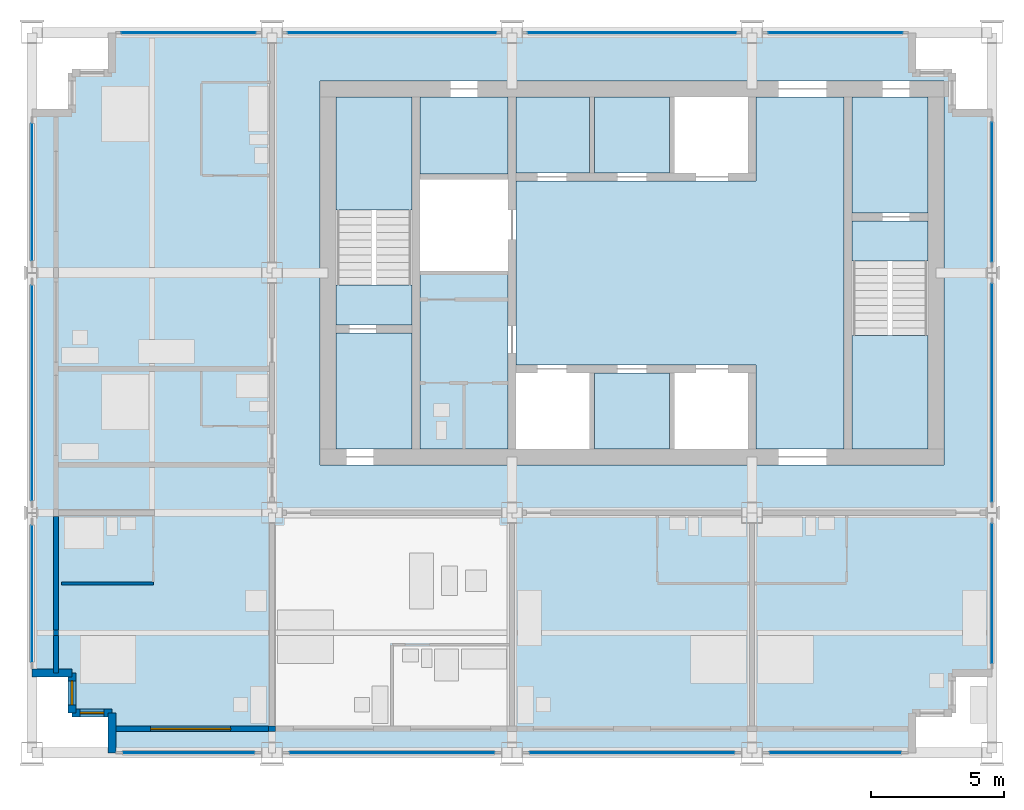
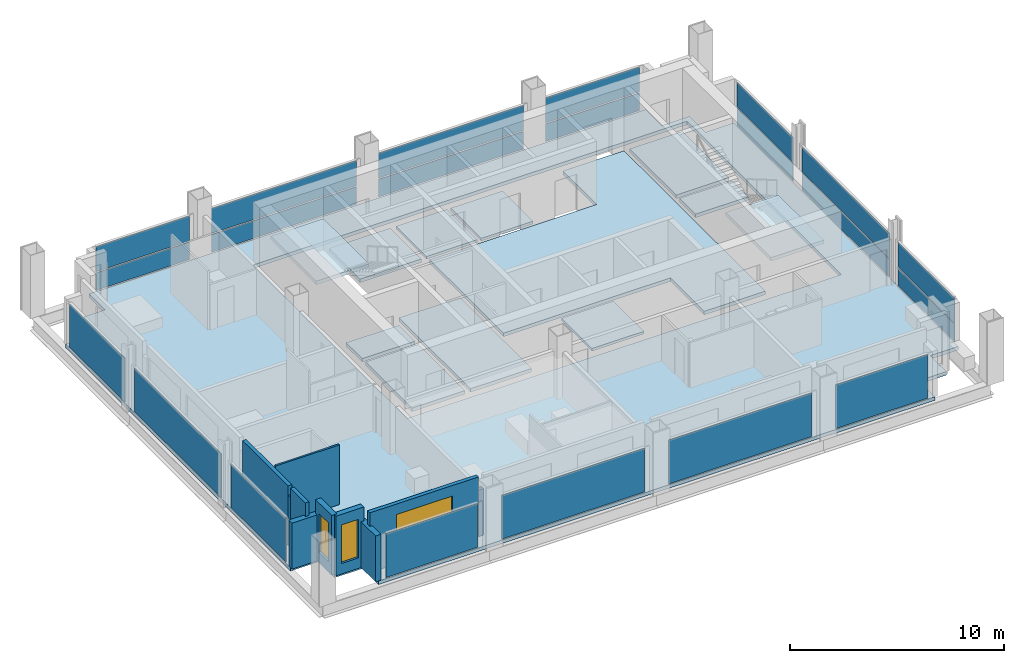
# One storey, part 5 of 11: 21 plates, 13 slabs, 10 walls, 3 windows, 3 openings, 16 elements without a shape of their own.
"""IFC4 building model written with IfcOpenShell, lengths in metres."""

from ifc_helpers import new_model, si_unit, direction, frame, frame_2d, origin, origin_2d, place, context, subcontext, project, spatial, polyline, rectangle, outline, extrude, material, layer, layer_set, type_object, element, fill, aggregate, save


model = new_model("IFC4")

# Units and contexts
model_context = context("Model", 3, precision=1e-05, world=origin(), true_north=direction((0.0, 1.0)))
body_context = subcontext(model_context, "Body", "Model", "MODEL_VIEW")
ifc_project = project(units=[si_unit("LENGTHUNIT", "METRE"), si_unit("AREAUNIT", "SQUARE_METRE"), si_unit("VOLUMEUNIT", "CUBIC_METRE"), si_unit("PLANEANGLEUNIT", "RADIAN"), si_unit("MASSUNIT", "GRAM", prefix="KILO")], contexts=[model_context])

# Site, building, storey
site_placement = place(None, origin())
site = spatial("IfcSite", under=ifc_project, at=site_placement, CompositionType="ELEMENT")
building_placement = place(site_placement, origin())
building = spatial("IfcBuilding", under=site, at=building_placement, Name="Loomwork Tower", CompositionType="ELEMENT")
storey_placement = place(building_placement, frame((0.0, 0.0, 248.199951171875)))
storey = spatial("IfcBuildingStorey", under=building, at=storey_placement, Name="L68", CompositionType="ELEMENT", Elevation=248.199951171875)

# Slabs
ifc_material_1 = material(Name="Concrete 5000 psi (34 MPa) on composite metal deck", Category="concrete")
ifc_layer_1 = layer(ifc_material_1, 0.199951171875)
ifc_layer_set_1 = layer_set([ifc_layer_1], Name="Floor slab 200")
slab_type_1 = type_object("IfcSlabType", Name="Floor slab 200", PredefinedType="FLOOR", material=ifc_layer_set_1)
slab_1_placement = place(storey_placement, frame((0.0, 0.0, -0.199951171875)))
element("IfcSlab", 1, at=slab_1_placement, inside=storey, type_object=slab_type_1, Name="Floor slab L68", PredefinedType="FLOOR", context=body_context, shape_type="SweptSolid", body=[
    extrude(outline(polyline([(3.0, 1.5), (1.5, 1.5), (1.5, 3.0), (0.0, 3.0), (0.0, 24.0), (1.5, 24.0), (1.5, 25.5), (3.0, 25.5), (3.0, 27.0), (33.0, 27.0), (33.0, 25.5), (34.5, 25.5), (34.5, 24.0), (36.0, 24.0), (36.0, 3.0), (34.5, 3.0), (34.5, 1.5), (33.0, 1.5), (33.0, 0.0), (3.0, 0.0), (3.0, 1.5)]), holes=[polyline([(10.800048828125, 11.39990234375), (10.800048828125, 11.39990234375), (10.800048828125, 10.800048828125), (34.199951171875, 10.800048828125), (34.199951171875, 11.39990234375), (34.199951171875, 11.39990234375), (34.199951171875, 24.60009765625), (34.199951171875, 25.199951171875), (10.800048828125, 25.199951171875), (10.800048828125, 24.60009765625), (10.800048828125, 11.39990234375)])]), origin(), (0.0, 0.0, 1.0), 0.199951171875),
])
slab_2_placement = place(storey_placement, frame((0.0, 0.0, -0.199951171875)))
element("IfcSlab", 2, at=slab_2_placement, inside=storey, type_object=slab_type_1, Name="Floor slab L68", PredefinedType="FLOOR", context=body_context, shape_type="SweptSolid", body=[
    extrude(outline(polyline([(30.449951171875, 24.60009765625), (30.449951171875, 11.39990234375), (27.14990234375, 11.39990234375), (27.14990234375, 14.25), (27.14990234375, 14.550048828125), (18.14990234375, 14.550048828125), (18.14990234375, 21.449951171875), (27.14990234375, 21.449951171875), (27.14990234375, 21.75), (27.14990234375, 24.60009765625), (30.449951171875, 24.60009765625)])), origin(), (0.0, 0.0, 1.0), 0.199951171875),
])
slab_3_placement = place(storey_placement, frame((0.0, 0.0, -0.199951171875)))
element("IfcSlab", 3, at=slab_3_placement, inside=storey, type_object=slab_type_1, Name="Floor slab L68", PredefinedType="FLOOR", context=body_context, shape_type="SweptSolid", body=[
    extrude(outline(polyline([(14.550048828125, 11.39990234375), (14.550048828125, 18.074951171875), (17.85009765625, 18.074951171875), (17.85009765625, 11.39990234375), (14.550048828125, 11.39990234375)])), origin(), (0.0, 0.0, 1.0), 0.199951171875),
])
slab_4_placement = place(storey_placement, frame((0.0, 0.0, -0.199951171875)))
element("IfcSlab", 4, at=slab_4_placement, inside=storey, type_object=slab_type_1, Name="Floor slab L68", PredefinedType="FLOOR", context=body_context, shape_type="SweptSolid", body=[
    extrude(outline(polyline([(33.60009765625, 20.25), (30.75, 20.25), (30.75, 24.60009765625), (33.60009765625, 24.60009765625), (33.60009765625, 20.25)])), origin(), (0.0, 0.0, 1.0), 0.199951171875),
])
slab_5_placement = place(storey_placement, frame((0.0, 0.0, -0.199951171875)))
element("IfcSlab", 5, at=slab_5_placement, inside=storey, type_object=slab_type_1, Name="Floor slab L68", PredefinedType="FLOOR", context=body_context, shape_type="SweptSolid", body=[
    extrude(outline(polyline([(14.25, 15.75), (14.25, 11.39990234375), (11.39990234375, 11.39990234375), (11.39990234375, 15.75), (14.25, 15.75)])), origin(), (0.0, 0.0, 1.0), 0.199951171875),
])
slab_6_placement = place(storey_placement, frame((0.0, 0.0, -0.199951171875)))
element("IfcSlab", 6, at=slab_6_placement, inside=storey, type_object=slab_type_1, Name="Floor slab L68", PredefinedType="FLOOR", context=body_context, shape_type="SweptSolid", body=[
    extrude(outline(polyline([(14.550048828125, 21.699951171875), (14.550048828125, 24.60009765625), (17.85009765625, 24.60009765625), (17.85009765625, 21.699951171875), (14.550048828125, 21.699951171875)])), origin(), (0.0, 0.0, 1.0), 0.199951171875),
])

# Curtain wall, plate
ifc_material_2 = material(Name="Aluminium curtain wall frame", Category="aluminium")
curtain_wall_type_1 = type_object("IfcCurtainWallType", Name="Outer skin glazing suites", PredefinedType="NOTDEFINED", material=ifc_material_2)
curtain_wall_1_placement = place(storey_placement, origin())
curtain_wall_1 = element("IfcCurtainWall", 7, at=curtain_wall_1_placement, inside=storey, type_object=curtain_wall_type_1, Name="Outer skin glazing suites cw/S-0", PredefinedType="NOTDEFINED")
ifc_material_3 = material(Name="Clear laminated glass", Category="glass")
ifc_layer_2 = layer(ifc_material_3, 0.02392578125)
ifc_layer_set_2 = layer_set([ifc_layer_2], Name="Outer skin glazing suites panel")
plate_type_1 = type_object("IfcPlateType", Name="Outer skin glazing suites panel", PredefinedType="CURTAIN_PANEL", material=ifc_layer_set_2)
plate_1_placement = place(storey_placement, frame((5.875, 0.0, 0.06494140625), z_axis=(0.0, 0.0, 1.0), x_axis=(1.0, 0.0, 0.0)))
plate_1 = element("IfcPlate", 8, at=plate_1_placement, type_object=plate_type_1, Name="CW2 panel 1.1", PredefinedType="CURTAIN_PANEL", context=body_context, shape_type="SweptSolid", body=[
    extrude(rectangle(XDim=4.949951171875, YDim=0.02392578125, at=origin_2d()), origin(), (0.0, 0.0, 1.0), 2.490234375),
])
aggregate(curtain_wall_1, [plate_1])

curtain_wall_2_placement = place(storey_placement, origin())
curtain_wall_2 = element("IfcCurtainWall", 9, at=curtain_wall_2_placement, inside=storey, type_object=curtain_wall_type_1, Name="Outer skin glazing suites cw/S-9", PredefinedType="NOTDEFINED")
plate_2_placement = place(storey_placement, frame((13.5, 0.0, 0.06494140625), z_axis=(0.0, 0.0, 1.0), x_axis=(1.0, 0.0, 0.0)))
plate_2 = element("IfcPlate", 10, at=plate_2_placement, type_object=plate_type_1, Name="CW2 panel 1.1", PredefinedType="CURTAIN_PANEL", context=body_context, shape_type="SweptSolid", body=[
    extrude(rectangle(XDim=7.699951171875, YDim=0.02392578125, at=origin_2d()), origin(), (0.0, 0.0, 1.0), 2.490234375),
])
aggregate(curtain_wall_2, [plate_2])

curtain_wall_3_placement = place(storey_placement, origin())
curtain_wall_3 = element("IfcCurtainWall", 11, at=curtain_wall_3_placement, inside=storey, type_object=curtain_wall_type_1, Name="Outer skin glazing suites cw/S-18", PredefinedType="NOTDEFINED")
plate_3_placement = place(storey_placement, frame((22.5, 0.0, 0.06494140625), z_axis=(0.0, 0.0, 1.0), x_axis=(1.0, 0.0, 0.0)))
plate_3 = element("IfcPlate", 12, at=plate_3_placement, type_object=plate_type_1, Name="CW2 panel 1.1", PredefinedType="CURTAIN_PANEL", context=body_context, shape_type="SweptSolid", body=[
    extrude(rectangle(XDim=7.699951171875, YDim=0.02392578125, at=origin_2d()), origin(), (0.0, 0.0, 1.0), 2.490234375),
])
aggregate(curtain_wall_3, [plate_3])

curtain_wall_4_placement = place(storey_placement, origin())
curtain_wall_4 = element("IfcCurtainWall", 13, at=curtain_wall_4_placement, inside=storey, type_object=curtain_wall_type_1, Name="Outer skin glazing suites cw/S-27", PredefinedType="NOTDEFINED")
plate_4_placement = place(storey_placement, frame((30.125, 0.0, 0.06494140625), z_axis=(0.0, 0.0, 1.0), x_axis=(1.0, 0.0, 0.0)))
plate_4 = element("IfcPlate", 14, at=plate_4_placement, type_object=plate_type_1, Name="CW2 panel 1.1", PredefinedType="CURTAIN_PANEL", context=body_context, shape_type="SweptSolid", body=[
    extrude(rectangle(XDim=4.949951171875, YDim=0.02392578125, at=origin_2d()), origin(), (0.0, 0.0, 1.0), 2.490234375),
])
aggregate(curtain_wall_4, [plate_4])

curtain_wall_5_placement = place(storey_placement, origin())
curtain_wall_5 = element("IfcCurtainWall", 15, at=curtain_wall_5_placement, inside=storey, type_object=curtain_wall_type_1, Name="Outer skin glazing suites cw/W-0", PredefinedType="NOTDEFINED")
plate_5_placement = place(storey_placement, frame((0.0, 5.970947265625, 0.06494140625), z_axis=(0.0, 0.0, 1.0), x_axis=(0.0, -1.0, 0.0)))
plate_5 = element("IfcPlate", 16, at=plate_5_placement, type_object=plate_type_1, Name="CW2 panel 1.1", PredefinedType="CURTAIN_PANEL", context=body_context, shape_type="SweptSolid", body=[
    extrude(rectangle(XDim=5.1416015625, YDim=0.02392578125, at=origin_2d()), origin(), (0.0, 0.0, 1.0), 2.490234375),
])
aggregate(curtain_wall_5, [plate_5])

curtain_wall_6_placement = place(storey_placement, origin())
curtain_wall_6 = element("IfcCurtainWall", 17, at=curtain_wall_6_placement, inside=storey, type_object=curtain_wall_type_1, Name="Outer skin glazing suites cw/W-9", PredefinedType="NOTDEFINED")
plate_6_placement = place(storey_placement, frame((0.0, 13.5, 0.06494140625), z_axis=(0.0, 0.0, 1.0), x_axis=(0.0, -1.0, 0.0)))
plate_6 = element("IfcPlate", 18, at=plate_6_placement, type_object=plate_type_1, Name="CW2 panel 1.1", PredefinedType="CURTAIN_PANEL", context=body_context, shape_type="SweptSolid", body=[
    extrude(rectangle(XDim=8.08349609375, YDim=0.02392578125, at=origin_2d()), origin(), (0.0, 0.0, 1.0), 2.490234375),
])
aggregate(curtain_wall_6, [plate_6])

curtain_wall_7_placement = place(storey_placement, origin())
curtain_wall_7 = element("IfcCurtainWall", 19, at=curtain_wall_7_placement, inside=storey, type_object=curtain_wall_type_1, Name="Outer skin glazing suites cw/W-18", PredefinedType="NOTDEFINED")
plate_7_placement = place(storey_placement, frame((0.0, 21.029052734375, 0.06494140625), z_axis=(0.0, 0.0, 1.0), x_axis=(0.0, -1.0, 0.0)))
plate_7 = element("IfcPlate", 20, at=plate_7_placement, type_object=plate_type_1, Name="CW2 panel 1.1", PredefinedType="CURTAIN_PANEL", context=body_context, shape_type="SweptSolid", body=[
    extrude(rectangle(XDim=5.1416015625, YDim=0.02392578125, at=origin_2d()), origin(), (0.0, 0.0, 1.0), 2.490234375),
])
aggregate(curtain_wall_7, [plate_7])

# Slabs
ifc_material_4 = material(Name="Concrete 5000 psi (34 MPa) on composite metal deck", Category="concrete")
ifc_layer_3 = layer(ifc_material_4, 0.14990234375)
ifc_layer_set_3 = layer_set([ifc_layer_3], Name="Shaft infill floor 150")
slab_type_2 = type_object("IfcSlabType", Name="Shaft infill floor 150", PredefinedType="FLOOR", material=ifc_layer_set_3)
slab_7_placement = place(storey_placement, frame((0.0, 0.0, -0.14990234375)))
element("IfcSlab", 21, at=slab_7_placement, inside=storey, type_object=slab_type_2, Name="Shaft infill floor LS1 L68", PredefinedType="FLOOR", context=body_context, shape_type="SweptSolid", body=[
    extrude(outline(polyline([(18.14990234375, 21.75), (20.89990234375, 21.75), (20.89990234375, 24.60009765625), (18.14990234375, 24.60009765625), (18.14990234375, 21.75)])), origin(), (0.0, 0.0, 1.0), 0.14990234375),
])
slab_8_placement = place(storey_placement, frame((0.0, 0.0, -0.14990234375)))
element("IfcSlab", 22, at=slab_8_placement, inside=storey, type_object=slab_type_2, Name="Shaft infill floor LS2 L68", PredefinedType="FLOOR", context=body_context, shape_type="SweptSolid", body=[
    extrude(outline(polyline([(21.10009765625, 21.75), (23.89990234375, 21.75), (23.89990234375, 24.60009765625), (21.10009765625, 24.60009765625), (21.10009765625, 21.75)])), origin(), (0.0, 0.0, 1.0), 0.14990234375),
])
slab_9_placement = place(storey_placement, frame((0.0, 0.0, -0.14990234375)))
element("IfcSlab", 23, at=slab_9_placement, inside=storey, type_object=slab_type_2, Name="Shaft infill floor S2 L68", PredefinedType="FLOOR", context=body_context, shape_type="SweptSolid", body=[
    extrude(outline(polyline([(21.10009765625, 11.39990234375), (23.89990234375, 11.39990234375), (23.89990234375, 14.25), (21.10009765625, 14.25), (21.10009765625, 11.39990234375)])), origin(), (0.0, 0.0, 1.0), 0.14990234375),
])

# Curtain wall, plates
ifc_material_5 = material(Name="Aluminium curtain wall frame", Category="aluminium")
curtain_wall_type_2 = type_object("IfcCurtainWallType", Name="Single skin glazing corridor", PredefinedType="NOTDEFINED", material=ifc_material_5)
curtain_wall_8_placement = place(storey_placement, origin())
curtain_wall_8 = element("IfcCurtainWall", 24, at=curtain_wall_8_placement, inside=storey, type_object=curtain_wall_type_2, Name="Single skin glazing corridor cw/N-0", PredefinedType="NOTDEFINED")
ifc_material_6 = material(Name="Clear insulated glass", Category="glass")
ifc_layer_4 = layer(ifc_material_6, 0.031982421875)
ifc_layer_set_4 = layer_set([ifc_layer_4], Name="Single skin glazing corridor panel")
plate_type_2 = type_object("IfcPlateType", Name="Single skin glazing corridor panel", PredefinedType="CURTAIN_PANEL", material=ifc_layer_set_4)
plate_8_placement = place(storey_placement, frame((5.875, 27.0, 0.065185546875), z_axis=(0.0, 0.0, 1.0), x_axis=(-1.0, 0.0, 0.0)))
plate_8 = element("IfcPlate", 25, at=plate_8_placement, type_object=plate_type_2, Name="CW3 panel 1.1", PredefinedType="CURTAIN_PANEL", context=body_context, shape_type="SweptSolid", body=[
    extrude(rectangle(XDim=5.050048828125, YDim=0.031982421875, at=origin_2d()), origin(), (0.0, 0.0, 1.0), 1.00244140625),
])
plate_9_placement = place(storey_placement, frame((5.875, 27.0, 1.1328125), z_axis=(0.0, 0.0, 1.0), x_axis=(-1.0, 0.0, 0.0)))
plate_9 = element("IfcPlate", 26, at=plate_9_placement, type_object=plate_type_2, Name="CW3 panel 1.2", PredefinedType="CURTAIN_PANEL", context=body_context, shape_type="SweptSolid", body=[
    extrude(rectangle(XDim=5.050048828125, YDim=0.031982421875, at=origin_2d()), origin(), (0.0, 0.0, 1.0), 1.422607421875),
])
aggregate(curtain_wall_8, [plate_8, plate_9])

curtain_wall_9_placement = place(storey_placement, origin())
curtain_wall_9 = element("IfcCurtainWall", 27, at=curtain_wall_9_placement, inside=storey, type_object=curtain_wall_type_2, Name="Single skin glazing corridor cw/N-9", PredefinedType="NOTDEFINED")
plate_10_placement = place(storey_placement, frame((13.5, 27.0, 0.065185546875), z_axis=(0.0, 0.0, 1.0), x_axis=(-1.0, 0.0, 0.0)))
plate_10 = element("IfcPlate", 28, at=plate_10_placement, type_object=plate_type_2, Name="CW3 panel 1.1", PredefinedType="CURTAIN_PANEL", context=body_context, shape_type="SweptSolid", body=[
    extrude(rectangle(XDim=7.800048828125, YDim=0.031982421875, at=origin_2d()), origin(), (0.0, 0.0, 1.0), 1.00244140625),
])
plate_11_placement = place(storey_placement, frame((13.5, 27.0, 1.1328125), z_axis=(0.0, 0.0, 1.0), x_axis=(-1.0, 0.0, 0.0)))
plate_11 = element("IfcPlate", 29, at=plate_11_placement, type_object=plate_type_2, Name="CW3 panel 1.2", PredefinedType="CURTAIN_PANEL", context=body_context, shape_type="SweptSolid", body=[
    extrude(rectangle(XDim=7.800048828125, YDim=0.031982421875, at=origin_2d()), origin(), (0.0, 0.0, 1.0), 1.422607421875),
])
aggregate(curtain_wall_9, [plate_10, plate_11])

curtain_wall_10_placement = place(storey_placement, origin())
curtain_wall_10 = element("IfcCurtainWall", 30, at=curtain_wall_10_placement, inside=storey, type_object=curtain_wall_type_2, Name="Single skin glazing corridor cw/N-18", PredefinedType="NOTDEFINED")
plate_12_placement = place(storey_placement, frame((22.5, 27.0, 0.065185546875), z_axis=(0.0, 0.0, 1.0), x_axis=(-1.0, 0.0, 0.0)))
plate_12 = element("IfcPlate", 31, at=plate_12_placement, type_object=plate_type_2, Name="CW3 panel 1.1", PredefinedType="CURTAIN_PANEL", context=body_context, shape_type="SweptSolid", body=[
    extrude(rectangle(XDim=7.800048828125, YDim=0.031982421875, at=origin_2d()), origin(), (0.0, 0.0, 1.0), 1.00244140625),
])
plate_13_placement = place(storey_placement, frame((22.5, 27.0, 1.1328125), z_axis=(0.0, 0.0, 1.0), x_axis=(-1.0, 0.0, 0.0)))
plate_13 = element("IfcPlate", 32, at=plate_13_placement, type_object=plate_type_2, Name="CW3 panel 1.2", PredefinedType="CURTAIN_PANEL", context=body_context, shape_type="SweptSolid", body=[
    extrude(rectangle(XDim=7.800048828125, YDim=0.031982421875, at=origin_2d()), origin(), (0.0, 0.0, 1.0), 1.422607421875),
])
aggregate(curtain_wall_10, [plate_12, plate_13])

curtain_wall_11_placement = place(storey_placement, origin())
curtain_wall_11 = element("IfcCurtainWall", 33, at=curtain_wall_11_placement, inside=storey, type_object=curtain_wall_type_2, Name="Single skin glazing corridor cw/N-27", PredefinedType="NOTDEFINED")
plate_14_placement = place(storey_placement, frame((30.125, 27.0, 0.065185546875), z_axis=(0.0, 0.0, 1.0), x_axis=(-1.0, 0.0, 0.0)))
plate_14 = element("IfcPlate", 34, at=plate_14_placement, type_object=plate_type_2, Name="CW3 panel 1.1", PredefinedType="CURTAIN_PANEL", context=body_context, shape_type="SweptSolid", body=[
    extrude(rectangle(XDim=5.050048828125, YDim=0.031982421875, at=origin_2d()), origin(), (0.0, 0.0, 1.0), 1.00244140625),
])
plate_15_placement = place(storey_placement, frame((30.125, 27.0, 1.1328125), z_axis=(0.0, 0.0, 1.0), x_axis=(-1.0, 0.0, 0.0)))
plate_15 = element("IfcPlate", 35, at=plate_15_placement, type_object=plate_type_2, Name="CW3 panel 1.2", PredefinedType="CURTAIN_PANEL", context=body_context, shape_type="SweptSolid", body=[
    extrude(rectangle(XDim=5.050048828125, YDim=0.031982421875, at=origin_2d()), origin(), (0.0, 0.0, 1.0), 1.422607421875),
])
aggregate(curtain_wall_11, [plate_14, plate_15])

curtain_wall_12_placement = place(storey_placement, origin())
curtain_wall_12 = element("IfcCurtainWall", 36, at=curtain_wall_12_placement, inside=storey, type_object=curtain_wall_type_2, Name="Single skin glazing corridor cw/E-0", PredefinedType="NOTDEFINED")
plate_16_placement = place(storey_placement, frame((36.0, 5.970947265625, 0.065185546875), z_axis=(0.0, 0.0, 1.0), x_axis=(0.0, 1.0, 0.0)))
plate_16 = element("IfcPlate", 37, at=plate_16_placement, type_object=plate_type_2, Name="CW3 panel 1.1", PredefinedType="CURTAIN_PANEL", context=body_context, shape_type="SweptSolid", body=[
    extrude(rectangle(XDim=5.24169921875, YDim=0.031982421875, at=origin_2d()), origin(), (0.0, 0.0, 1.0), 1.00244140625),
])
plate_17_placement = place(storey_placement, frame((36.0, 5.970947265625, 1.1328125), z_axis=(0.0, 0.0, 1.0), x_axis=(0.0, 1.0, 0.0)))
plate_17 = element("IfcPlate", 38, at=plate_17_placement, type_object=plate_type_2, Name="CW3 panel 1.2", PredefinedType="CURTAIN_PANEL", context=body_context, shape_type="SweptSolid", body=[
    extrude(rectangle(XDim=5.24169921875, YDim=0.031982421875, at=origin_2d()), origin(), (0.0, 0.0, 1.0), 1.422607421875),
])
aggregate(curtain_wall_12, [plate_16, plate_17])

curtain_wall_13_placement = place(storey_placement, origin())
curtain_wall_13 = element("IfcCurtainWall", 39, at=curtain_wall_13_placement, inside=storey, type_object=curtain_wall_type_2, Name="Single skin glazing corridor cw/E-9", PredefinedType="NOTDEFINED")
plate_18_placement = place(storey_placement, frame((36.0, 13.5, 0.065185546875), z_axis=(0.0, 0.0, 1.0), x_axis=(0.0, 1.0, 0.0)))
plate_18 = element("IfcPlate", 40, at=plate_18_placement, type_object=plate_type_2, Name="CW3 panel 1.1", PredefinedType="CURTAIN_PANEL", context=body_context, shape_type="SweptSolid", body=[
    extrude(rectangle(XDim=8.183349609375, YDim=0.031982421875, at=origin_2d()), origin(), (0.0, 0.0, 1.0), 1.00244140625),
])
plate_19_placement = place(storey_placement, frame((36.0, 13.5, 1.1328125), z_axis=(0.0, 0.0, 1.0), x_axis=(0.0, 1.0, 0.0)))
plate_19 = element("IfcPlate", 41, at=plate_19_placement, type_object=plate_type_2, Name="CW3 panel 1.2", PredefinedType="CURTAIN_PANEL", context=body_context, shape_type="SweptSolid", body=[
    extrude(rectangle(XDim=8.183349609375, YDim=0.031982421875, at=origin_2d()), origin(), (0.0, 0.0, 1.0), 1.422607421875),
])
aggregate(curtain_wall_13, [plate_18, plate_19])

curtain_wall_14_placement = place(storey_placement, origin())
curtain_wall_14 = element("IfcCurtainWall", 42, at=curtain_wall_14_placement, inside=storey, type_object=curtain_wall_type_2, Name="Single skin glazing corridor cw/E-18", PredefinedType="NOTDEFINED")
plate_20_placement = place(storey_placement, frame((36.0, 21.029052734375, 0.065185546875), z_axis=(0.0, 0.0, 1.0), x_axis=(0.0, 1.0, 0.0)))
plate_20 = element("IfcPlate", 43, at=plate_20_placement, type_object=plate_type_2, Name="CW3 panel 1.1", PredefinedType="CURTAIN_PANEL", context=body_context, shape_type="SweptSolid", body=[
    extrude(rectangle(XDim=5.24169921875, YDim=0.031982421875, at=origin_2d()), origin(), (0.0, 0.0, 1.0), 1.00244140625),
])
plate_21_placement = place(storey_placement, frame((36.0, 21.029052734375, 1.1328125), z_axis=(0.0, 0.0, 1.0), x_axis=(0.0, 1.0, 0.0)))
plate_21 = element("IfcPlate", 44, at=plate_21_placement, type_object=plate_type_2, Name="CW3 panel 1.2", PredefinedType="CURTAIN_PANEL", context=body_context, shape_type="SweptSolid", body=[
    extrude(rectangle(XDim=5.24169921875, YDim=0.031982421875, at=origin_2d()), origin(), (0.0, 0.0, 1.0), 1.422607421875),
])
aggregate(curtain_wall_14, [plate_20, plate_21])

# Stair, slabs
ifc_material_7 = material(Name="Concrete 5000 psi (34 MPa) precast stair", Category="concrete")
stair_type_1 = type_object("IfcStairType", Name="Stair ST-A 22 risers 2850 wide", PredefinedType="HALF_TURN_STAIR", material=ifc_material_7)
stair_1_placement = place(storey_placement, origin())
stair_1 = element("IfcStair", 45, at=stair_1_placement, inside=storey, type_object=stair_type_1, Name="Stair A L68", PredefinedType="HALF_TURN_STAIR")
ifc_material_8 = material(Name="Concrete 5000 psi (34 MPa)", Category="concrete")
ifc_layer_5 = layer(ifc_material_8, 0.199951171875)
ifc_layer_set_5 = layer_set([ifc_layer_5], Name="Stair landing 200")
slab_type_3 = type_object("IfcSlabType", Name="Stair landing 200", PredefinedType="LANDING", material=ifc_layer_set_5)
slab_10_placement = place(storey_placement, frame((0.0, 0.0, -0.199951171875)))
slab_10 = element("IfcSlab", 46, at=slab_10_placement, type_object=slab_type_3, Name="ST-A landing 1", PredefinedType="LANDING", context=body_context, shape_type="SweptSolid", body=[
    extrude(outline(polyline([(11.39990234375, 16.050048828125), (14.25, 16.050048828125), (14.25, 17.550048828125), (11.39990234375, 17.550048828125), (11.39990234375, 16.050048828125)])), origin(), (0.0, 0.0, 1.0), 0.199951171875),
])
slab_11_placement = place(storey_placement, frame((0.0, 0.0, 1.60009765625)))
slab_11 = element("IfcSlab", 47, at=slab_11_placement, type_object=slab_type_3, Name="ST-A landing 2", PredefinedType="LANDING", context=body_context, shape_type="SweptSolid", body=[
    extrude(outline(polyline([(11.39990234375, 20.35009765625), (14.25, 20.35009765625), (14.25, 24.60009765625), (11.39990234375, 24.60009765625), (11.39990234375, 20.35009765625)])), origin(), (0.0, 0.0, 1.0), 0.199951171875),
])
aggregate(stair_1, [slab_10, slab_11])

ifc_material_9 = material(Name="Concrete 5000 psi (34 MPa) precast stair", Category="concrete")
stair_type_2 = type_object("IfcStairType", Name="Stair ST-B 22 risers 2850 wide", PredefinedType="HALF_TURN_STAIR", material=ifc_material_9)
stair_2_placement = place(storey_placement, origin())
stair_2 = element("IfcStair", 48, at=stair_2_placement, inside=storey, type_object=stair_type_2, Name="Stair B L68", PredefinedType="HALF_TURN_STAIR")
slab_12_placement = place(storey_placement, frame((0.0, 0.0, -0.199951171875)))
slab_12 = element("IfcSlab", 49, at=slab_12_placement, type_object=slab_type_3, Name="ST-B landing 1", PredefinedType="LANDING", context=body_context, shape_type="SweptSolid", body=[
    extrude(outline(polyline([(30.75, 18.449951171875), (33.60009765625, 18.449951171875), (33.60009765625, 19.949951171875), (30.75, 19.949951171875), (30.75, 18.449951171875)])), origin(), (0.0, 0.0, 1.0), 0.199951171875),
])
slab_13_placement = place(storey_placement, frame((0.0, 0.0, 1.60009765625)))
slab_13 = element("IfcSlab", 50, at=slab_13_placement, type_object=slab_type_3, Name="ST-B landing 2", PredefinedType="LANDING", context=body_context, shape_type="SweptSolid", body=[
    extrude(outline(polyline([(30.75, 11.39990234375), (33.60009765625, 11.39990234375), (33.60009765625, 15.64990234375), (30.75, 15.64990234375), (30.75, 11.39990234375)])), origin(), (0.0, 0.0, 1.0), 0.199951171875),
])
aggregate(stair_2, [slab_12, slab_13])

# Wall
ifc_material_10 = material(Name="Cement board on steel studs", Category="steel")
ifc_layer_6 = layer(ifc_material_10, 0.10009765625)
ifc_layer_set_6 = layer_set([ifc_layer_6], Name="En-suite partition 100")
wall_type_1 = type_object("IfcWallType", Name="En-suite partition 100", PredefinedType="PARTITIONING", material=ifc_layer_set_6)
wall_1_placement = place(storey_placement, frame((1.10009765625, 6.35009765625, 0.0), z_axis=(0.0, 0.0, 1.0), x_axis=(1.0, 0.0, 0.0)))
element("IfcWall", 51, at=wall_1_placement, inside=storey, type_object=wall_type_1, Name="En-suite wall L68 room 1", PredefinedType="PARTITIONING", context=body_context, shape_type="SweptSolid", body=[
    extrude(rectangle(XDim=3.449951171875, YDim=0.10009765625, at=frame_2d((1.72509765625, 0.0))), origin(), (0.0, 0.0, 1.0), 3.400146484375),
])

# Wall, opening, window
ifc_material_11 = material(Name="Insulated steel stud wall with gypsum lining", Category="steel")
ifc_layer_7 = layer(ifc_material_11, 0.199951171875)
ifc_layer_set_7 = layer_set([ifc_layer_7], Name="Inner skin wall 200")
wall_type_2 = type_object("IfcWallType", Name="Inner skin wall 200", PredefinedType="SOLIDWALL", material=ifc_layer_set_7)
wall_2_placement = place(storey_placement, frame((3.0, 0.89990234375, 0.0), z_axis=(0.0, 0.0, 1.0), x_axis=(1.0, 0.0, 0.0)))
wall_2 = element("IfcWall", 52, at=wall_2_placement, inside=storey, type_object=wall_type_2, Name="Inner skin wall S", PredefinedType="SOLIDWALL", context=body_context, shape_type="SweptSolid", body=[
    extrude(rectangle(XDim=5.86474609375, YDim=0.199951171875, at=frame_2d((2.932373046875, 0.0))), origin(), (0.0, 0.0, 1.0), 3.400146484375),
])
opening_1_placement = place(wall_2_placement, frame((1.449951171875, 0.0, 0.60009765625)))
opening_1 = element("IfcOpeningElement", 53, at=opening_1_placement, cuts=wall_2, Name="Opening CH1", PredefinedType="OPENING", context=body_context, shape_type="SweptSolid", body=[
    extrude(rectangle(XDim=3.0, YDim=2.199951171875, at=frame_2d((1.5, 1.10009765625))), frame((0.0, 0.10986328125, 0.0), z_axis=(0.0, -1.0, 0.0), x_axis=(1.0, 0.0, 0.0)), (0.0, 0.0, 1.0), 0.219970703125),
])
ifc_material_12 = material(Name="Aluminium frame with clear insulated glass", Category="aluminium")
window_type_1 = type_object("IfcWindowType", Name="Chicago window 3000", PartitioningType="TRIPLE_PANEL_VERTICAL", PredefinedType="WINDOW", material=ifc_material_12)
window_1_placement = place(opening_1_placement, origin())
window_1 = element("IfcWindow", 54, at=window_1_placement, inside=storey, type_object=window_type_1, Name="Chicago window L68 bay 1", OverallHeight=2.199951171875, OverallWidth=3.0, PartitioningType="TRIPLE_PANEL_VERTICAL", PredefinedType="WINDOW", context=body_context, shape_type="SweptSolid", body=[
    extrude(rectangle(XDim=3.0, YDim=2.199951171875, at=frame_2d((1.5, 1.10009765625))), frame((0.0, 0.030029296875, 0.0), z_axis=(0.0, -1.0, 0.0), x_axis=(1.0, 0.0, 0.0)), (0.0, 0.0, 1.0), 0.06005859375),
])
fill(opening_1, window_1)

# Walls
wall_3_placement = place(storey_placement, frame((0.89990234375, 3.0, 0.0), z_axis=(0.0, 0.0, 1.0), x_axis=(0.0, 1.0, 0.0)))
element("IfcWall", 55, at=wall_3_placement, inside=storey, type_object=wall_type_2, Name="Inner skin wall W", PredefinedType="SOLIDWALL", context=body_context, shape_type="SweptSolid", body=[
    extrude(rectangle(XDim=1.392578125, YDim=0.199951171875, at=frame_2d((0.6962890625, 0.0))), origin(), (0.0, 0.0, 1.0), 3.400146484375),
])
wall_4_placement = place(storey_placement, frame((8.86474609375, 0.89990234375, 0.0), z_axis=(0.0, 0.0, 1.0), x_axis=(1.0, 0.0, 0.0)))
element("IfcWall", 56, at=wall_4_placement, inside=storey, type_object=wall_type_2, Name="Inner skin wall S bay 2", PredefinedType="SOLIDWALL", context=body_context, shape_type="SweptSolid", body=[
    extrude(rectangle(XDim=0.2705078125, YDim=0.199951171875, at=frame_2d((0.13525390625, 0.0))), origin(), (0.0, 0.0, 1.0), 2.637939453125),
])
wall_5_placement = place(storey_placement, frame((0.89990234375, 4.392578125, 0.0), z_axis=(0.0, 0.0, 1.0), x_axis=(0.0, 1.0, 0.0)))
element("IfcWall", 57, at=wall_5_placement, inside=storey, type_object=wall_type_2, Name="Inner skin wall W bay 2", PredefinedType="SOLIDWALL", context=body_context, shape_type="SweptSolid", body=[
    extrude(rectangle(XDim=0.21484375, YDim=0.199951171875, at=frame_2d((0.107421875, 0.0))), origin(), (0.0, 0.0, 1.0), 2.861083984375),
])
wall_6_placement = place(storey_placement, frame((0.89990234375, 4.607421875, 0.0), z_axis=(0.0, 0.0, 1.0), x_axis=(0.0, 1.0, 0.0)))
element("IfcWall", 58, at=wall_6_placement, inside=storey, type_object=wall_type_2, Name="Inner skin wall W bay 3", PredefinedType="SOLIDWALL", context=body_context, shape_type="SweptSolid", body=[
    extrude(rectangle(XDim=4.25732421875, YDim=0.199951171875, at=frame_2d((2.128662109375, 0.0))), origin(), (0.0, 0.0, 1.0), 3.400146484375),
])
ifc_material_13 = material(Name="Limestone on concrete masonry", Category="masonry")
ifc_layer_8 = layer(ifc_material_13, 0.300048828125)
ifc_layer_set_8 = layer_set([ifc_layer_8], Name="Limestone corner wall 300")
wall_type_3 = type_object("IfcWallType", Name="Limestone corner wall 300", PredefinedType="SOLIDWALL", material=ifc_layer_set_8)
wall_7_placement = place(storey_placement, frame((0.0, 3.0, 0.0), z_axis=(0.0, 0.0, 1.0), x_axis=(1.0, 0.0, 0.0)))
element("IfcWall", 59, at=wall_7_placement, inside=storey, type_object=wall_type_3, Name="Stone corner wall SW 1", PredefinedType="SOLIDWALL", context=body_context, shape_type="SweptSolid", body=[
    extrude(rectangle(XDim=1.5, YDim=0.300048828125, at=frame_2d((0.75, 0.0))), origin(), (0.0, 0.0, 1.0), 2.6201171875),
])

# Wall, opening, window
wall_8_placement = place(storey_placement, frame((1.5, 3.0, 0.0), z_axis=(0.0, 0.0, 1.0), x_axis=(0.0, -1.0, 0.0)))
wall_8 = element("IfcWall", 60, at=wall_8_placement, inside=storey, type_object=wall_type_3, Name="Stone corner wall SW 2", PredefinedType="SOLIDWALL", context=body_context, shape_type="SweptSolid", body=[
    extrude(rectangle(XDim=1.5, YDim=0.300048828125, at=frame_2d((0.75, 0.0))), origin(), (0.0, 0.0, 1.0), 3.400146484375),
])
opening_2_placement = place(wall_8_placement, frame((0.300048828125, 0.0, 0.60009765625)))
opening_2 = element("IfcOpeningElement", 61, at=opening_2_placement, cuts=wall_8, Name="Opening CH2", PredefinedType="OPENING", context=body_context, shape_type="SweptSolid", body=[
    extrude(rectangle(XDim=0.89990234375, YDim=2.199951171875, at=frame_2d((0.449951171875, 1.10009765625))), frame((0.0, 0.159912109375, 0.0), z_axis=(0.0, -1.0, 0.0), x_axis=(1.0, 0.0, 0.0)), (0.0, 0.0, 1.0), 0.320068359375),
])
ifc_material_14 = material(Name="Aluminium frame with clear insulated glass", Category="aluminium")
window_type_2 = type_object("IfcWindowType", Name="Corner window 900", PartitioningType="SINGLE_PANEL", PredefinedType="WINDOW", material=ifc_material_14)
window_2_placement = place(opening_2_placement, origin())
window_2 = element("IfcWindow", 62, at=window_2_placement, inside=storey, type_object=window_type_2, Name="Corner window SW", OverallHeight=2.199951171875, OverallWidth=0.89990234375, PartitioningType="SINGLE_PANEL", PredefinedType="WINDOW", context=body_context, shape_type="SweptSolid", body=[
    extrude(rectangle(XDim=0.89990234375, YDim=2.199951171875, at=frame_2d((0.449951171875, 1.10009765625))), frame((0.0, 0.030029296875, 0.0), z_axis=(0.0, -1.0, 0.0), x_axis=(1.0, 0.0, 0.0)), (0.0, 0.0, 1.0), 0.06005859375),
])
fill(opening_2, window_2)

wall_9_placement = place(storey_placement, frame((1.5, 1.5, 0.0), z_axis=(0.0, 0.0, 1.0), x_axis=(1.0, 0.0, 0.0)))
wall_9 = element("IfcWall", 63, at=wall_9_placement, inside=storey, type_object=wall_type_3, Name="Stone corner wall SW 3", PredefinedType="SOLIDWALL", context=body_context, shape_type="SweptSolid", body=[
    extrude(rectangle(XDim=1.5, YDim=0.300048828125, at=frame_2d((0.75, 0.0))), origin(), (0.0, 0.0, 1.0), 3.400146484375),
])
opening_3_placement = place(wall_9_placement, frame((0.300048828125, 0.0, 0.60009765625)))
opening_3 = element("IfcOpeningElement", 64, at=opening_3_placement, cuts=wall_9, Name="Opening CH2", PredefinedType="OPENING", context=body_context, shape_type="SweptSolid", body=[
    extrude(rectangle(XDim=0.89990234375, YDim=2.199951171875, at=frame_2d((0.449951171875, 1.10009765625))), frame((0.0, 0.159912109375, 0.0), z_axis=(0.0, -1.0, 0.0), x_axis=(1.0, 0.0, 0.0)), (0.0, 0.0, 1.0), 0.320068359375),
])
window_3_placement = place(opening_3_placement, origin())
window_3 = element("IfcWindow", 65, at=window_3_placement, inside=storey, type_object=window_type_2, Name="Corner window SW", OverallHeight=2.199951171875, OverallWidth=0.89990234375, PartitioningType="SINGLE_PANEL", PredefinedType="WINDOW", context=body_context, shape_type="SweptSolid", body=[
    extrude(rectangle(XDim=0.89990234375, YDim=2.199951171875, at=frame_2d((0.449951171875, 1.10009765625))), frame((0.0, 0.030029296875, 0.0), z_axis=(0.0, -1.0, 0.0), x_axis=(1.0, 0.0, 0.0)), (0.0, 0.0, 1.0), 0.06005859375),
])
fill(opening_3, window_3)

# Wall
wall_10_placement = place(storey_placement, frame((3.0, 1.5, 0.0), z_axis=(0.0, 0.0, 1.0), x_axis=(0.0, -1.0, 0.0)))
element("IfcWall", 66, at=wall_10_placement, inside=storey, type_object=wall_type_3, Name="Stone corner wall SW 4", PredefinedType="SOLIDWALL", context=body_context, shape_type="SweptSolid", body=[
    extrude(rectangle(XDim=1.5, YDim=0.300048828125, at=frame_2d((0.75, 0.0))), origin(), (0.0, 0.0, 1.0), 2.6201171875),
])

save(model, "model.ifc")
